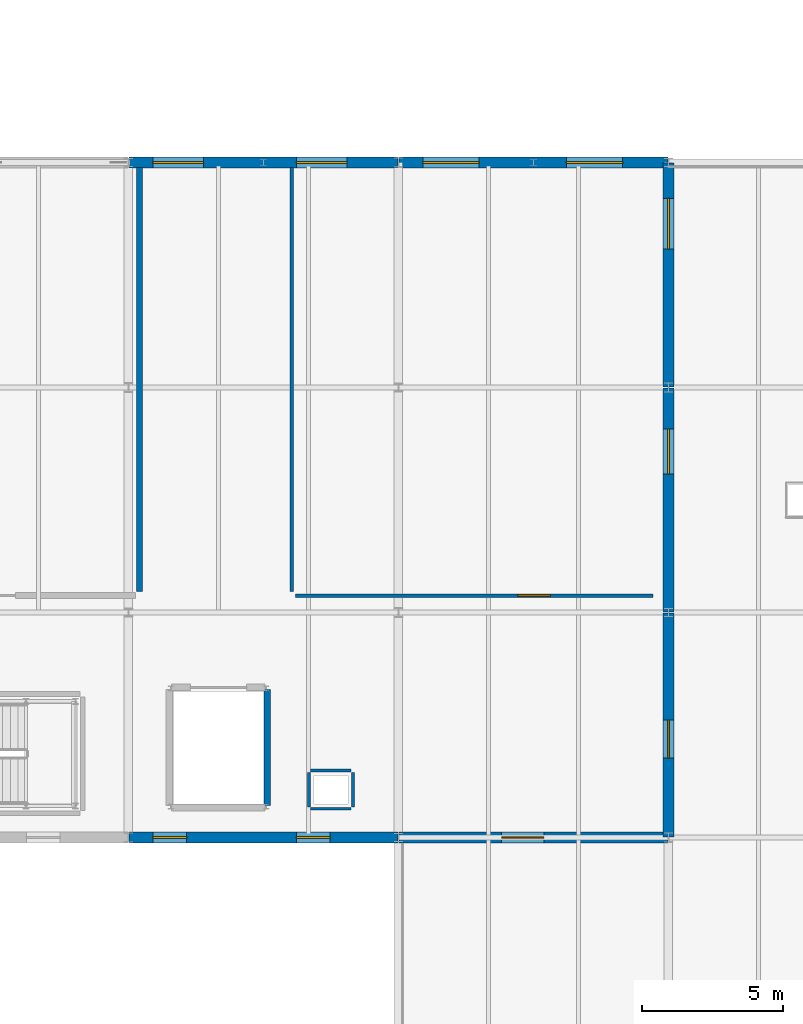
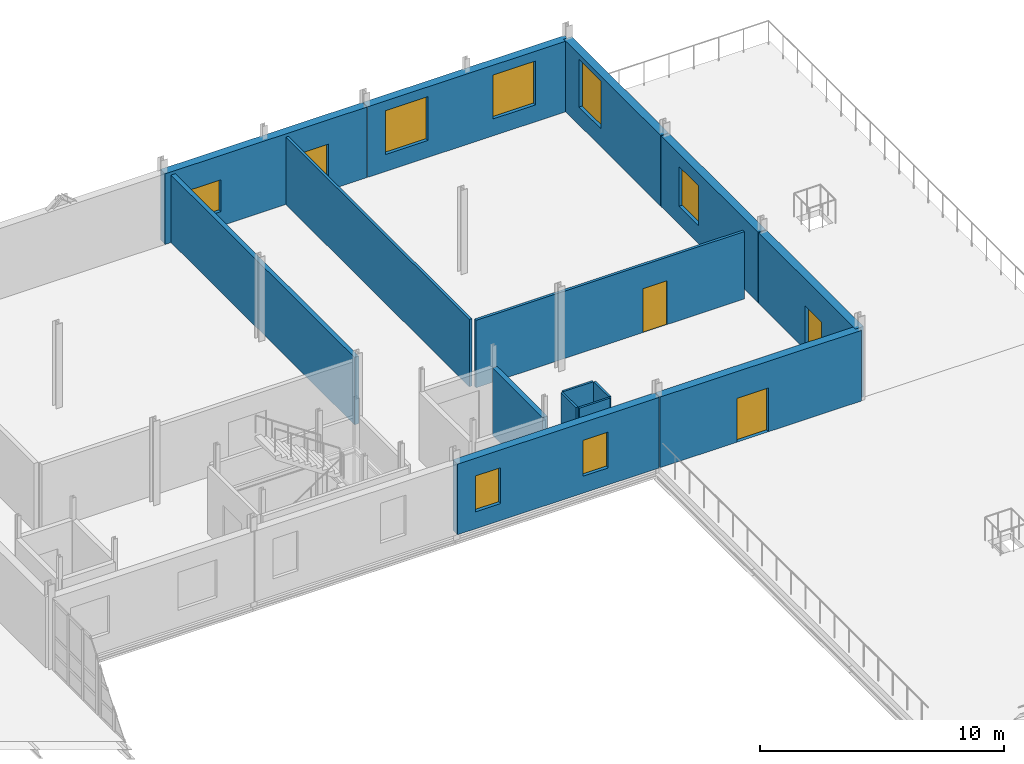
# One storey, part 64 of 73: 15 walls, 8 windows, 3 doors, 11 openings.
"""IFC4 building model written with IfcOpenShell, lengths in metres."""

from ifc_helpers import new_model, si_unit, direction, frame, frame_2d, origin, place, context, subcontext, project, spatial, rectangle, extrude, material, layer, layer_set, type_object, element, fill, save


model = new_model("IFC4")

# Units and contexts
model_context = context("Model", 3, precision=1e-05, world=origin(), true_north=direction((0.0, 1.0)))
body_context = subcontext(model_context, "Body", "Model", "MODEL_VIEW")
ifc_project = project(units=[si_unit("LENGTHUNIT", "METRE"), si_unit("AREAUNIT", "SQUARE_METRE"), si_unit("VOLUMEUNIT", "CUBIC_METRE"), si_unit("PLANEANGLEUNIT", "RADIAN"), si_unit("MASSUNIT", "GRAM", prefix="KILO")], contexts=[model_context])

# Site, building, storey
site_placement = place(None, origin())
site = spatial("IfcSite", under=ifc_project, at=site_placement, CompositionType="ELEMENT")
building_placement = place(site_placement, origin())
building = spatial("IfcBuilding", under=site, at=building_placement, Name="Alderhovde Museum", CompositionType="ELEMENT")
storey_placement = place(building_placement, frame((0.0, 0.0, 12.89990234375)))
storey = spatial("IfcBuildingStorey", under=building, at=storey_placement, Name="L03", CompositionType="ELEMENT", Elevation=12.89990234375)

# Wall, openings, windows
ifc_material_1 = material(Name="Fluted Jura Limestone Beaux-Arts Wall", Category="masonry")
ifc_layer_1 = layer(ifc_material_1, 0.3798828125)
ifc_layer_set_1 = layer_set([ifc_layer_1], Name="Fluted Jura Limestone Beaux-Arts Wall")
wall_type_1 = type_object("IfcWallType", Name="EW-LIME-380", PredefinedType="SOLIDWALL", material=ifc_layer_set_1)
wall_1_placement = place(storey_placement, frame((134.419921875, 72.0, 0.0), z_axis=(0.0, 0.0, 1.0), x_axis=(1.0, 0.0, 0.0)))
wall_1 = element("IfcWall", 1, at=wall_1_placement, inside=storey, type_object=wall_type_1, Name="L03 Conservation South Beaux-Arts Wall 236", PredefinedType="SOLIDWALL", context=body_context, shape_type="SweptSolid", body=[
    extrude(rectangle(XDim=9.56005859375, YDim=0.3798828125, at=frame_2d((4.780029296875, 0.0))), origin(), (0.0, 0.0, 1.0), 3.5400390625),
])
opening_1_placement = place(wall_1_placement, frame((0.85009765625, 0.0, 0.85009765625)))
opening_1 = element("IfcOpeningElement", 2, at=opening_1_placement, cuts=wall_1, Name="Opening W14", PredefinedType="OPENING", context=body_context, shape_type="SweptSolid", body=[
    extrude(rectangle(XDim=1.199951171875, YDim=1.800048828125, at=frame_2d((0.60009765625, 0.89990234375))), frame((0.0, 0.199951171875, 0.0), z_axis=(0.0, -1.0, 0.0), x_axis=(1.0, 0.0, 0.0)), (0.0, 0.0, 1.0), 0.39990234375),
])
opening_2_placement = place(wall_1_placement, frame((5.949951171875, 0.0, 0.85009765625)))
opening_2 = element("IfcOpeningElement", 3, at=opening_2_placement, cuts=wall_1, Name="Opening W14", PredefinedType="OPENING", context=body_context, shape_type="SweptSolid", body=[
    extrude(rectangle(XDim=1.199951171875, YDim=1.800048828125, at=frame_2d((0.60009765625, 0.89990234375))), frame((0.0, 0.199951171875, 0.0), z_axis=(0.0, -1.0, 0.0), x_axis=(1.0, 0.0, 0.0)), (0.0, 0.0, 1.0), 0.39990234375),
])
ifc_material_2 = material(Name="Triple-Glazed Low-E Bronze-Anodised Aluminium", Category="aluminium")
window_type_1 = type_object("IfcWindowType", Name="WIN-ATT-1200x1800", PartitioningType="SINGLE_PANEL", PredefinedType="WINDOW", material=ifc_material_2)
window_1_placement = place(opening_1_placement, origin())
window_1 = element("IfcWindow", 4, at=window_1_placement, inside=storey, type_object=window_type_1, Name="L03 Facade Window 224", OverallHeight=1.800048828125, OverallWidth=1.199951171875, PartitioningType="SINGLE_PANEL", PredefinedType="WINDOW", context=body_context, shape_type="SweptSolid", body=[
    extrude(rectangle(XDim=1.199951171875, YDim=1.800048828125, at=frame_2d((0.60009765625, 0.89990234375))), frame((0.0, 0.030029296875, 0.0), z_axis=(0.0, -1.0, 0.0), x_axis=(1.0, 0.0, 0.0)), (0.0, 0.0, 1.0), 0.06005859375),
])
fill(opening_1, window_1)
window_2_placement = place(opening_2_placement, origin())
window_2 = element("IfcWindow", 5, at=window_2_placement, inside=storey, type_object=window_type_1, Name="L03 Facade Window 225", OverallHeight=1.800048828125, OverallWidth=1.199951171875, PartitioningType="SINGLE_PANEL", PredefinedType="WINDOW", context=body_context, shape_type="SweptSolid", body=[
    extrude(rectangle(XDim=1.199951171875, YDim=1.800048828125, at=frame_2d((0.60009765625, 0.89990234375))), frame((0.0, 0.030029296875, 0.0), z_axis=(0.0, -1.0, 0.0), x_axis=(1.0, 0.0, 0.0)), (0.0, 0.0, 1.0), 0.06005859375),
])
fill(opening_2, window_2)

# Wall, opening, door
wall_2_placement = place(storey_placement, frame((144.02001953125, 72.0, 0.0), z_axis=(0.0, 0.0, 1.0), x_axis=(1.0, 0.0, 0.0)))
wall_2 = element("IfcWall", 6, at=wall_2_placement, inside=storey, type_object=wall_type_1, Name="L03 Conservation South Beaux-Arts Wall 237", PredefinedType="SOLIDWALL", context=body_context, shape_type="SweptSolid", body=[
    extrude(rectangle(XDim=9.56005859375, YDim=0.3798828125, at=frame_2d((4.780029296875, 0.0))), origin(), (0.0, 0.0, 1.0), 3.5400390625),
])
opening_3_placement = place(wall_2_placement, frame((3.64990234375, 0.0, 0.0)))
opening_3 = element("IfcOpeningElement", 7, at=opening_3_placement, cuts=wall_2, Name="Opening BDR3", PredefinedType="OPENING", context=body_context, shape_type="SweptSolid", body=[
    extrude(rectangle(XDim=1.5, YDim=2.199951171875, at=frame_2d((0.75, 1.10009765625))), frame((0.0, 0.199951171875, 0.0), z_axis=(0.0, -1.0, 0.0), x_axis=(1.0, 0.0, 0.0)), (0.0, 0.0, 1.0), 0.39990234375),
])
ifc_material_3 = material(Name="Thermally Broken Bronze-Anodised Aluminium and Laminated Glass", Category="aluminium")
door_type_1 = type_object("IfcDoorType", Name="DR-TER-1500x2200", OperationType="NOTDEFINED", PredefinedType="DOOR", material=ifc_material_3)
door_1_placement = place(opening_3_placement, origin())
door_1 = element("IfcDoor", 8, at=door_1_placement, inside=storey, type_object=door_type_1, Name="L03 Sculpture Terrace Door", OperationType="SINGLE_SWING_LEFT", OverallHeight=2.199951171875, OverallWidth=1.5, PredefinedType="DOOR", context=body_context, shape_type="SweptSolid", body=[
    extrude(rectangle(XDim=1.5, YDim=2.199951171875, at=frame_2d((0.75, 1.10009765625))), frame((0.0, 0.02490234375, 0.0), z_axis=(0.0, -1.0, 0.0), x_axis=(1.0, 0.0, 0.0)), (0.0, 0.0, 1.0), 0.050048828125),
])
fill(opening_3, door_1)

# Wall, openings, windows
wall_3_placement = place(storey_placement, frame((134.419921875, 96.0, 0.0), z_axis=(0.0, 0.0, 1.0), x_axis=(1.0, 0.0, 0.0)))
wall_3 = element("IfcWall", 9, at=wall_3_placement, inside=storey, type_object=wall_type_1, Name="L03 Conservation North Beaux-Arts Wall 240", PredefinedType="SOLIDWALL", context=body_context, shape_type="SweptSolid", body=[
    extrude(rectangle(XDim=9.56005859375, YDim=0.3798828125, at=frame_2d((4.780029296875, 0.0))), origin(), (0.0, 0.0, 1.0), 3.5400390625),
])
opening_4_placement = place(wall_3_placement, frame((0.85009765625, 0.0, 0.719970703125)))
opening_4 = element("IfcOpeningElement", 10, at=opening_4_placement, cuts=wall_3, Name="Opening W13", PredefinedType="OPENING", context=body_context, shape_type="SweptSolid", body=[
    extrude(rectangle(XDim=1.800048828125, YDim=1.60009765625, at=frame_2d((0.89990234375, 0.800048828125))), frame((0.0, 0.199951171875, 0.0), z_axis=(0.0, -1.0, 0.0), x_axis=(1.0, 0.0, 0.0)), (0.0, 0.0, 1.0), 0.39990234375),
])
opening_5_placement = place(wall_3_placement, frame((5.949951171875, 0.0, 0.719970703125)))
opening_5 = element("IfcOpeningElement", 11, at=opening_5_placement, cuts=wall_3, Name="Opening W13", PredefinedType="OPENING", context=body_context, shape_type="SweptSolid", body=[
    extrude(rectangle(XDim=1.800048828125, YDim=1.60009765625, at=frame_2d((0.89990234375, 0.800048828125))), frame((0.0, 0.199951171875, 0.0), z_axis=(0.0, -1.0, 0.0), x_axis=(1.0, 0.0, 0.0)), (0.0, 0.0, 1.0), 0.39990234375),
])
ifc_material_4 = material(Name="Triple-Glazed Low-E Bronze-Anodised Aluminium", Category="aluminium")
window_type_2 = type_object("IfcWindowType", Name="WIN-ATT-1800x1600", PartitioningType="DOUBLE_PANEL_VERTICAL", PredefinedType="WINDOW", material=ifc_material_4)
window_3_placement = place(opening_4_placement, origin())
window_3 = element("IfcWindow", 12, at=window_3_placement, inside=storey, type_object=window_type_2, Name="L03 Facade Window 228", OverallHeight=1.60009765625, OverallWidth=1.800048828125, PartitioningType="SINGLE_PANEL", PredefinedType="WINDOW", context=body_context, shape_type="SweptSolid", body=[
    extrude(rectangle(XDim=1.800048828125, YDim=1.60009765625, at=frame_2d((0.89990234375, 0.800048828125))), frame((0.0, 0.030029296875, 0.0), z_axis=(0.0, -1.0, 0.0), x_axis=(1.0, 0.0, 0.0)), (0.0, 0.0, 1.0), 0.06005859375),
])
fill(opening_4, window_3)
window_4_placement = place(opening_5_placement, origin())
window_4 = element("IfcWindow", 13, at=window_4_placement, inside=storey, type_object=window_type_2, Name="L03 Facade Window 229", OverallHeight=1.60009765625, OverallWidth=1.800048828125, PartitioningType="SINGLE_PANEL", PredefinedType="WINDOW", context=body_context, shape_type="SweptSolid", body=[
    extrude(rectangle(XDim=1.800048828125, YDim=1.60009765625, at=frame_2d((0.89990234375, 0.800048828125))), frame((0.0, 0.030029296875, 0.0), z_axis=(0.0, -1.0, 0.0), x_axis=(1.0, 0.0, 0.0)), (0.0, 0.0, 1.0), 0.06005859375),
])
fill(opening_5, window_4)

wall_4_placement = place(storey_placement, frame((144.02001953125, 96.0, 0.0), z_axis=(0.0, 0.0, 1.0), x_axis=(1.0, 0.0, 0.0)))
wall_4 = element("IfcWall", 14, at=wall_4_placement, inside=storey, type_object=wall_type_1, Name="L03 Conservation North Beaux-Arts Wall 241", PredefinedType="SOLIDWALL", context=body_context, shape_type="SweptSolid", body=[
    extrude(rectangle(XDim=9.56005859375, YDim=0.3798828125, at=frame_2d((4.780029296875, 0.0))), origin(), (0.0, 0.0, 1.0), 3.5400390625),
])
opening_6_placement = place(wall_4_placement, frame((0.85009765625, 0.0, 0.85009765625)))
opening_6 = element("IfcOpeningElement", 15, at=opening_6_placement, cuts=wall_4, Name="Opening W16", PredefinedType="OPENING", context=body_context, shape_type="SweptSolid", body=[
    extrude(rectangle(XDim=2.0, YDim=2.199951171875, at=frame_2d((1.0, 1.10009765625))), frame((0.0, 0.199951171875, 0.0), z_axis=(0.0, -1.0, 0.0), x_axis=(1.0, 0.0, 0.0)), (0.0, 0.0, 1.0), 0.39990234375),
])
opening_7_placement = place(wall_4_placement, frame((5.949951171875, 0.0, 0.85009765625)))
opening_7 = element("IfcOpeningElement", 16, at=opening_7_placement, cuts=wall_4, Name="Opening W16", PredefinedType="OPENING", context=body_context, shape_type="SweptSolid", body=[
    extrude(rectangle(XDim=2.0, YDim=2.199951171875, at=frame_2d((1.0, 1.10009765625))), frame((0.0, 0.199951171875, 0.0), z_axis=(0.0, -1.0, 0.0), x_axis=(1.0, 0.0, 0.0)), (0.0, 0.0, 1.0), 0.39990234375),
])
ifc_material_5 = material(Name="Triple-Glazed Low-E Bronze-Anodised Aluminium", Category="aluminium")
window_type_3 = type_object("IfcWindowType", Name="WIN-LAB-2000x2200", PartitioningType="DOUBLE_PANEL_VERTICAL", PredefinedType="WINDOW", material=ifc_material_5)
window_5_placement = place(opening_6_placement, origin())
window_5 = element("IfcWindow", 17, at=window_5_placement, inside=storey, type_object=window_type_3, Name="L03 Facade Window 230", OverallHeight=2.199951171875, OverallWidth=2.0, PartitioningType="SINGLE_PANEL", PredefinedType="WINDOW", context=body_context, shape_type="SweptSolid", body=[
    extrude(rectangle(XDim=2.0, YDim=2.199951171875, at=frame_2d((1.0, 1.10009765625))), frame((0.0, 0.030029296875, 0.0), z_axis=(0.0, -1.0, 0.0), x_axis=(1.0, 0.0, 0.0)), (0.0, 0.0, 1.0), 0.06005859375),
])
fill(opening_6, window_5)
window_6_placement = place(opening_7_placement, origin())
window_6 = element("IfcWindow", 18, at=window_6_placement, inside=storey, type_object=window_type_3, Name="L03 Facade Window 231", OverallHeight=2.199951171875, OverallWidth=2.0, PartitioningType="SINGLE_PANEL", PredefinedType="WINDOW", context=body_context, shape_type="SweptSolid", body=[
    extrude(rectangle(XDim=2.0, YDim=2.199951171875, at=frame_2d((1.0, 1.10009765625))), frame((0.0, 0.030029296875, 0.0), z_axis=(0.0, -1.0, 0.0), x_axis=(1.0, 0.0, 0.0)), (0.0, 0.0, 1.0), 0.06005859375),
])
fill(opening_7, window_6)

# Wall, opening, door
wall_5_placement = place(storey_placement, frame((153.60009765625, 72.02001953125, 0.0), z_axis=(0.0, 0.0, 1.0), x_axis=(0.0, 1.0, 0.0)))
wall_5 = element("IfcWall", 19, at=wall_5_placement, inside=storey, type_object=wall_type_1, Name="L03 Conservation East Hillside Wall 242", PredefinedType="SOLIDWALL", context=body_context, shape_type="SweptSolid", body=[
    extrude(rectangle(XDim=7.9599609375, YDim=0.3798828125, at=frame_2d((3.97998046875, 0.0))), origin(), (0.0, 0.0, 1.0), 3.5400390625),
])
opening_8_placement = place(wall_5_placement, frame((2.800048828125, 0.0, 0.0)))
opening_8 = element("IfcOpeningElement", 20, at=opening_8_placement, cuts=wall_5, Name="Opening BDR4", PredefinedType="OPENING", context=body_context, shape_type="SweptSolid", body=[
    extrude(rectangle(XDim=1.35009765625, YDim=2.199951171875, at=frame_2d((0.675048828125, 1.10009765625))), frame((0.0, 0.199951171875, 0.0), z_axis=(0.0, -1.0, 0.0), x_axis=(1.0, 0.0, 0.0)), (0.0, 0.0, 1.0), 0.39990234375),
])
ifc_material_6 = material(Name="Thermally Broken Bronze-Anodised Aluminium and Laminated Glass", Category="aluminium")
door_type_2 = type_object("IfcDoorType", Name="DR-TER-1350x2200", OperationType="NOTDEFINED", PredefinedType="DOOR", material=ifc_material_6)
door_2_placement = place(opening_8_placement, origin())
door_2 = element("IfcDoor", 21, at=door_2_placement, inside=storey, type_object=door_type_2, Name="L03 East Pavilion Terrace Door", OperationType="SINGLE_SWING_RIGHT", OverallHeight=2.199951171875, OverallWidth=1.35009765625, PredefinedType="DOOR", context=body_context, shape_type="SweptSolid", body=[
    extrude(rectangle(XDim=1.35009765625, YDim=2.199951171875, at=frame_2d((0.675048828125, 1.10009765625))), frame((0.0, 0.02490234375, 0.0), z_axis=(0.0, -1.0, 0.0), x_axis=(1.0, 0.0, 0.0)), (0.0, 0.0, 1.0), 0.050048828125),
])
fill(opening_8, door_2)

# Wall, opening, window
wall_6_placement = place(storey_placement, frame((153.60009765625, 80.02001953125, 0.0), z_axis=(0.0, 0.0, 1.0), x_axis=(0.0, 1.0, 0.0)))
wall_6 = element("IfcWall", 22, at=wall_6_placement, inside=storey, type_object=wall_type_1, Name="L03 Conservation East Hillside Wall 243", PredefinedType="SOLIDWALL", context=body_context, shape_type="SweptSolid", body=[
    extrude(rectangle(XDim=7.9599609375, YDim=0.3798828125, at=frame_2d((3.97998046875, 0.0))), origin(), (0.0, 0.0, 1.0), 3.5400390625),
])
opening_9_placement = place(wall_6_placement, frame((4.89990234375, 0.0, 0.89990234375)))
opening_9 = element("IfcOpeningElement", 23, at=opening_9_placement, cuts=wall_6, Name="Opening W17", PredefinedType="OPENING", context=body_context, shape_type="SweptSolid", body=[
    extrude(rectangle(XDim=1.60009765625, YDim=2.0, at=frame_2d((0.800048828125, 1.0))), frame((0.0, 0.199951171875, 0.0), z_axis=(0.0, -1.0, 0.0), x_axis=(1.0, 0.0, 0.0)), (0.0, 0.0, 1.0), 0.39990234375),
])
ifc_material_7 = material(Name="Triple-Glazed Low-E Bronze-Anodised Aluminium", Category="aluminium")
window_type_4 = type_object("IfcWindowType", Name="WIN-LAB-1600x2000", PartitioningType="DOUBLE_PANEL_VERTICAL", PredefinedType="WINDOW", material=ifc_material_7)
window_7_placement = place(opening_9_placement, origin())
window_7 = element("IfcWindow", 24, at=window_7_placement, inside=storey, type_object=window_type_4, Name="L03 Facade Window 232", OverallHeight=2.0, OverallWidth=1.60009765625, PartitioningType="SINGLE_PANEL", PredefinedType="WINDOW", context=body_context, shape_type="SweptSolid", body=[
    extrude(rectangle(XDim=1.60009765625, YDim=2.0, at=frame_2d((0.800048828125, 1.0))), frame((0.0, 0.030029296875, 0.0), z_axis=(0.0, -1.0, 0.0), x_axis=(1.0, 0.0, 0.0)), (0.0, 0.0, 1.0), 0.06005859375),
])
fill(opening_9, window_7)

wall_7_placement = place(storey_placement, frame((153.60009765625, 88.02001953125, 0.0), z_axis=(0.0, 0.0, 1.0), x_axis=(0.0, 1.0, 0.0)))
wall_7 = element("IfcWall", 25, at=wall_7_placement, inside=storey, type_object=wall_type_1, Name="L03 Conservation East Hillside Wall 244", PredefinedType="SOLIDWALL", context=body_context, shape_type="SweptSolid", body=[
    extrude(rectangle(XDim=7.9599609375, YDim=0.3798828125, at=frame_2d((3.97998046875, 0.0))), origin(), (0.0, 0.0, 1.0), 3.5400390625),
])
opening_10_placement = place(wall_7_placement, frame((4.89990234375, 0.0, 0.89990234375)))
opening_10 = element("IfcOpeningElement", 26, at=opening_10_placement, cuts=wall_7, Name="Opening W05", PredefinedType="OPENING", context=body_context, shape_type="SweptSolid", body=[
    extrude(rectangle(XDim=1.800048828125, YDim=2.39990234375, at=frame_2d((0.89990234375, 1.199951171875))), frame((0.0, 0.199951171875, 0.0), z_axis=(0.0, -1.0, 0.0), x_axis=(1.0, 0.0, 0.0)), (0.0, 0.0, 1.0), 0.39990234375),
])
ifc_material_8 = material(Name="Triple-Glazed Low-E Bronze-Anodised Aluminium", Category="aluminium")
window_type_5 = type_object("IfcWindowType", Name="WIN-BA-1800x2400", PartitioningType="DOUBLE_PANEL_VERTICAL", PredefinedType="WINDOW", material=ifc_material_8)
window_8_placement = place(opening_10_placement, origin())
window_8 = element("IfcWindow", 27, at=window_8_placement, inside=storey, type_object=window_type_5, Name="L03 Facade Window 233", OverallHeight=2.39990234375, OverallWidth=1.800048828125, PartitioningType="SINGLE_PANEL", PredefinedType="WINDOW", context=body_context, shape_type="SweptSolid", body=[
    extrude(rectangle(XDim=1.800048828125, YDim=2.39990234375, at=frame_2d((0.89990234375, 1.199951171875))), frame((0.0, 0.030029296875, 0.0), z_axis=(0.0, -1.0, 0.0), x_axis=(1.0, 0.0, 0.0)), (0.0, 0.0, 1.0), 0.06005859375),
])
fill(opening_10, window_8)

# Walls
ifc_material_9 = material(Name="Fire-Resisting Masonry Compartment Wall", Category="masonry")
ifc_layer_2 = layer(ifc_material_9, 0.2099609375)
ifc_layer_set_2 = layer_set([ifc_layer_2], Name="Fire-Resisting Masonry Compartment Wall")
wall_type_2 = type_object("IfcWallType", Name="IW-FIRE-210", PredefinedType="SOLIDWALL", material=ifc_layer_set_2)
wall_8_placement = place(storey_placement, frame((134.800048828125, 80.739990234375, 0.0), z_axis=(0.0, 0.0, 1.0), x_axis=(0.0, 1.0, 0.0)))
element("IfcWall", 28, at=wall_8_placement, inside=storey, type_object=wall_type_2, Name="L03 Rare Specimen Collection Archive Partition Wall E", PredefinedType="SOLIDWALL", context=body_context, shape_type="SweptSolid", body=[
    extrude(rectangle(XDim=15.090087890625, YDim=0.2099609375, at=frame_2d((7.544921875, 0.0))), origin(), (0.0, 0.0, 1.0), 3.380126953125),
])
ifc_material_10 = material(Name="Acoustic Service Riser Lining Wall")
ifc_layer_3 = layer(ifc_material_10, 0.10009765625)
ifc_layer_set_3 = layer_set([ifc_layer_3], Name="Acoustic Service Riser Lining Wall")
wall_type_3 = type_object("IfcWallType", Name="IW-LIN-100", PredefinedType="PARTITIONING", material=ifc_layer_set_3)
for number, where, z_axis, x_axis, name in (
    (29, (140.8798828125, 74.3798828125, 0.0), (0.0, 0.0, 1.0), (1.0, 0.0, 0.0), "L03 Service Riser RSR-V5 Shaft Wall N"),
    (30, (140.8798828125, 73.02001953125, 0.0), (0.0, 0.0, 1.0), (1.0, 0.0, 0.0), "L03 Service Riser RSR-V5 Shaft Wall S"),
):
    element("IfcWall", number, at=place(storey_placement, frame(where, z_axis=z_axis, x_axis=x_axis)), inside=storey, type_object=wall_type_3, Name=name, PredefinedType="PARTITIONING", context=body_context, shape_type="SweptSolid", body=[
        extrude(rectangle(XDim=1.440185546875, YDim=0.10009765625, at=frame_2d((0.72021484375, 0.0))), origin(), (0.0, 0.0, 1.0), 3.380126953125),
    ])
for number, where, z_axis, x_axis, name in (
    (31, (140.820068359375, 73.080078125, 0.0), (0.0, 0.0, 1.0), (0.0, 1.0, 0.0), "L03 Service Riser RSR-V5 Shaft Wall W"),
    (32, (142.3798828125, 73.080078125, 0.0), (0.0, 0.0, 1.0), (0.0, 1.0, 0.0), "L03 Service Riser RSR-V5 Shaft Wall E"),
):
    element("IfcWall", number, at=place(storey_placement, frame(where, z_axis=z_axis, x_axis=x_axis)), inside=storey, type_object=wall_type_3, Name=name, PredefinedType="PARTITIONING", context=body_context, shape_type="SweptSolid", body=[
        extrude(rectangle(XDim=1.239990234375, YDim=0.10009765625, at=frame_2d((0.6201171875, 0.0))), origin(), (0.0, 0.0, 1.0), 3.380126953125),
    ])

# Wall, opening, door
ifc_material_11 = material(Name="Insulated Metal-Stud Room Partition")
ifc_layer_4 = layer(ifc_material_11, 0.125)
ifc_layer_set_4 = layer_set([ifc_layer_4], Name="Insulated Metal-Stud Room Partition")
wall_type_4 = type_object("IfcWallType", Name="IW-PART-125", PredefinedType="PARTITIONING", material=ifc_layer_set_4)
wall_9_placement = place(storey_placement, frame((140.340087890625, 80.60009765625, 0.0), z_axis=(0.0, 0.0, 1.0), x_axis=(1.0, 0.0, 0.0)))
wall_9 = element("IfcWall", 33, at=wall_9_placement, inside=storey, type_object=wall_type_4, Name="L03 Curatorial Research Suite Partition Wall S", PredefinedType="PARTITIONING", context=body_context, shape_type="SweptSolid", body=[
    extrude(rectangle(XDim=12.719970703125, YDim=0.125, at=frame_2d((6.35986328125, 0.0))), origin(), (0.0, 0.0, 1.0), 3.380126953125),
])
opening_11_placement = place(wall_9_placement, frame((7.909912109375, 0.0, 0.0)))
opening_11 = element("IfcOpeningElement", 34, at=opening_11_placement, cuts=wall_9, Name="Opening D07", PredefinedType="OPENING", context=body_context, shape_type="SweptSolid", body=[
    extrude(rectangle(XDim=1.14990234375, YDim=2.199951171875, at=frame_2d((0.574951171875, 1.10009765625))), frame((0.0, 0.072509765625, 0.0), z_axis=(0.0, -1.0, 0.0), x_axis=(1.0, 0.0, 0.0)), (0.0, 0.0, 1.0), 0.14501953125),
])
ifc_material_12 = material(Name="Oak Curatorial Study Door (Steel/Oak)", Category="steel")
door_type_3 = type_object("IfcDoorType", Name="ID-CUR-1150x2200", OperationType="NOTDEFINED", PredefinedType="DOOR", material=ifc_material_12)
door_3_placement = place(opening_11_placement, origin())
door_3 = element("IfcDoor", 35, at=door_3_placement, inside=storey, type_object=door_type_3, Name="L03 Curatorial Research Suite Door", OperationType="SINGLE_SWING_LEFT", OverallHeight=2.199951171875, OverallWidth=1.14990234375, PredefinedType="DOOR", context=body_context, shape_type="SweptSolid", body=[
    extrude(rectangle(XDim=1.14990234375, YDim=2.199951171875, at=frame_2d((0.574951171875, 1.10009765625))), frame((0.0, 0.02490234375, 0.0), z_axis=(0.0, -1.0, 0.0), x_axis=(1.0, 0.0, 0.0)), (0.0, 0.0, 1.0), 0.050048828125),
])
fill(opening_11, door_3)

# Walls
wall_10_placement = place(storey_placement, frame((140.199951171875, 80.739990234375, 0.0), z_axis=(0.0, 0.0, 1.0), x_axis=(0.0, 1.0, 0.0)))
element("IfcWall", 36, at=wall_10_placement, inside=storey, type_object=wall_type_4, Name="L03 Curatorial Research Suite Partition Wall W", PredefinedType="PARTITIONING", context=body_context, shape_type="SweptSolid", body=[
    extrude(rectangle(XDim=15.090087890625, YDim=0.125, at=frame_2d((7.544921875, 0.0))), origin(), (0.0, 0.0, 1.0), 3.380126953125),
])
ifc_material_13 = material(Name="Concrete C40/50 and Fireboard Shaft Wall", Category="concrete")
ifc_layer_5 = layer(ifc_material_13, 0.22998046875)
ifc_layer_set_5 = layer_set([ifc_layer_5], Name="Concrete C40/50 and Fireboard Shaft Wall")
wall_type_5 = type_object("IfcWallType", Name="IW-SHAFT-230", PredefinedType="SOLIDWALL", material=ifc_layer_set_5)
wall_11_placement = place(storey_placement, frame((139.340087890625, 73.139892578125, 0.0), z_axis=(0.0, 0.0, 1.0), x_axis=(0.0, 1.0, 0.0)))
element("IfcWall", 37, at=wall_11_placement, inside=storey, type_object=wall_type_5, Name="L03 Goods Lift Shaft Wall East", PredefinedType="SOLIDWALL", context=body_context, shape_type="SweptSolid", body=[
    extrude(rectangle(XDim=4.1201171875, YDim=0.22998046875, at=frame_2d((2.06005859375, 0.0))), origin(), (0.0, 0.0, 1.0), 3.380126953125),
])

save(model, "model.ifc")
